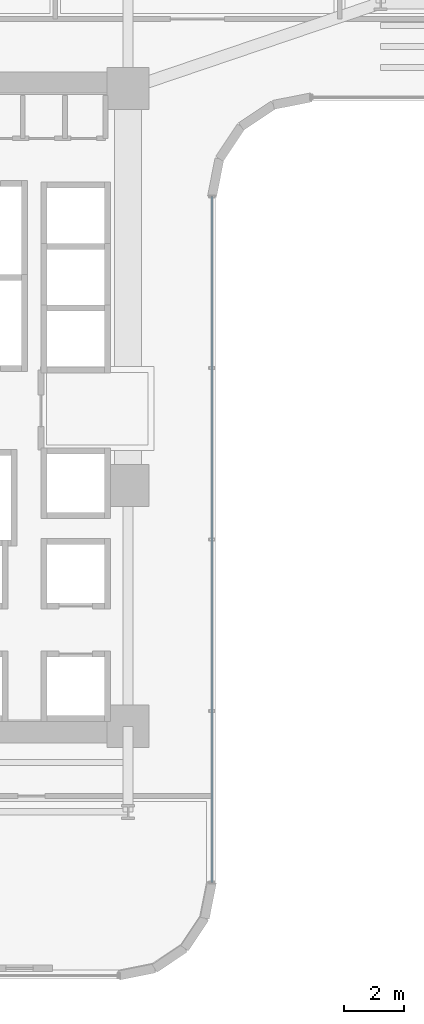
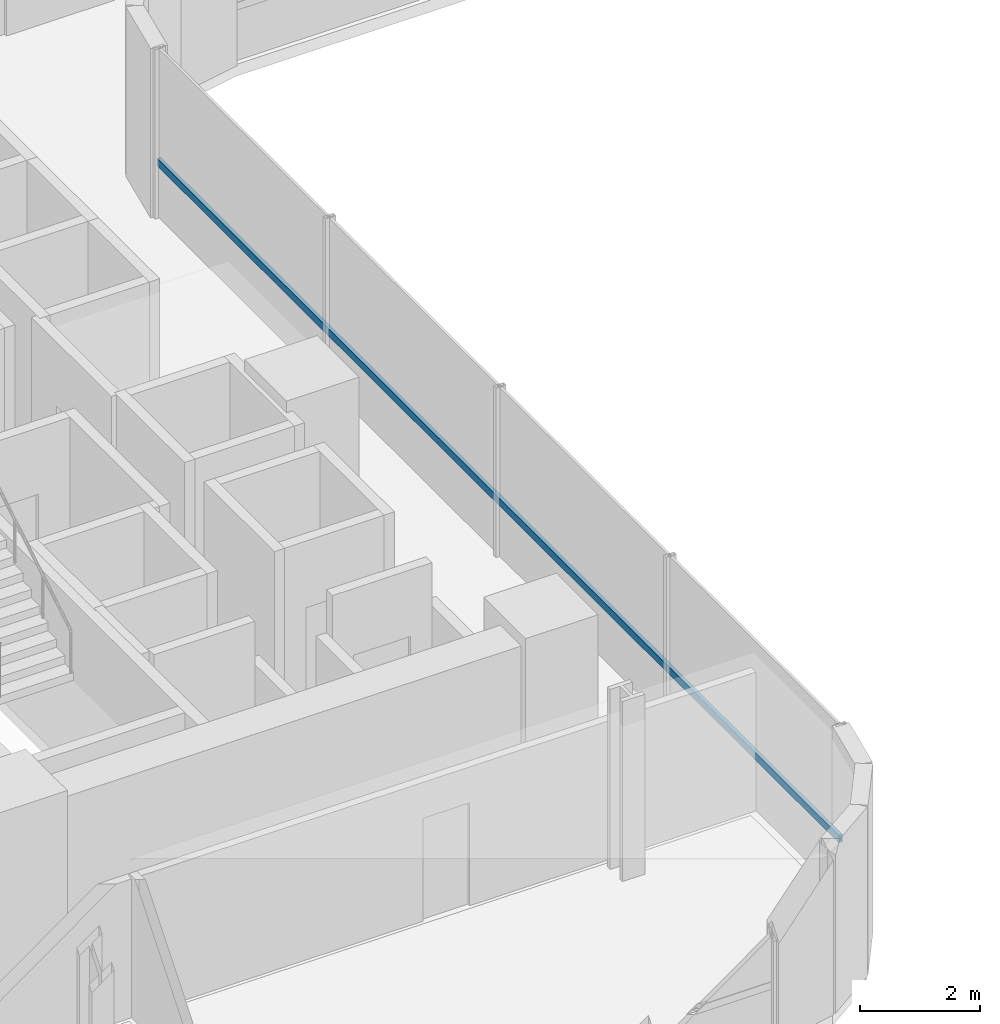
# One storey, part 7 of 39: 1 member, 1 element without a shape of its own.
"""IFC4 building model written with IfcOpenShell, lengths in metres."""

from ifc_helpers import new_model, si_unit, direction, frame, origin, origin_2d, place, context, subcontext, project, spatial, hollow_rectangle, extrude, source, transform, mapped, material, material_profile, profile_set, type_object, element, aggregate, save


model = new_model("IFC4")

# Units and contexts
model_context = context("Model", 3, precision=1e-05, world=origin(), true_north=direction((0.0, 1.0)))
body_context = subcontext(model_context, "Body", "Model", "MODEL_VIEW")
ifc_project = project(units=[si_unit("LENGTHUNIT", "METRE"), si_unit("AREAUNIT", "SQUARE_METRE"), si_unit("VOLUMEUNIT", "CUBIC_METRE"), si_unit("PLANEANGLEUNIT", "RADIAN"), si_unit("MASSUNIT", "GRAM", prefix="KILO")], contexts=[model_context])

# Site, building, storey
site_placement = place(None, origin())
site = spatial("IfcSite", under=ifc_project, at=site_placement, CompositionType="ELEMENT")
building_placement = place(site_placement, origin())
building = spatial("IfcBuilding", under=site, at=building_placement, Name="Valdorenza Pilgrim Sanctuary Tower", CompositionType="ELEMENT")
storey_placement = place(building_placement, frame((0.0, 0.0, 77.800048828125)))
storey = spatial("IfcBuildingStorey", under=building, at=storey_placement, Name="L19", CompositionType="ELEMENT", Elevation=77.800048828125)

# Curtain wall, member
ifc_material_1 = material(Name="Curtain-wall IGU glazing", Category="glass")
curtain_wall_type = type_object("IfcCurtainWallType", Name="CW-SYS-02", PredefinedType="NOTDEFINED", material=ifc_material_1)
curtain_wall_placement = place(storey_placement, origin())
curtain_wall = element("IfcCurtainWall", 1, at=curtain_wall_placement, inside=storey, type_object=curtain_wall_type, Name="L19 Curtain Wall CW-L19-1-41", PredefinedType="NOTDEFINED")
ifc_material_2 = material(Name="Anodised aluminium AW-6060", Category="aluminium")
ifc_material_profile = material_profile(ifc_material_2, hollow_rectangle(XDim=0.074951171875, YDim=0.14990234375, WallThickness=0.00390625, at=origin_2d()), Name="ALU-T 150x75x4")
ifc_profile_set = profile_set([ifc_material_profile], Name="Anodised aluminium AW-6060")
member_type = type_object("IfcMemberType", Name="CW-TRN-02", PredefinedType="USERDEFINED", material=ifc_profile_set)
shared_shape = source(origin(), body_context, "Body", "SweptSolid", [
    extrude(hollow_rectangle(XDim=0.074951171875, YDim=0.14990234375, WallThickness=0.00390625, at=origin_2d()), origin(), (0.0, 0.0, 1.0), 22.800048828125),
])
member_placement = place(storey_placement, frame((-9.610107421875, 7.0107421875, 1.119873046875), z_axis=(0.0, -1.0, 0.0), x_axis=(1.0, 0.0, 0.0)))
member = element("IfcMember", 2, at=member_placement, type_object=member_type, Name="CW-L19-1-41 Transom 1", ObjectType="TRANSOM", PredefinedType="USERDEFINED", context=body_context, shape_type="MappedRepresentation", body=[
    mapped(shared_shape, transform((0.0, 0.0, 0.0), x_axis=(1.0, 0.0, 0.0), y_axis=(0.0, 1.0, 0.0), z_axis=(0.0, 0.0, 1.0), scale=1.0)),
])
aggregate(curtain_wall, [member])

save(model, "model.ifc")
